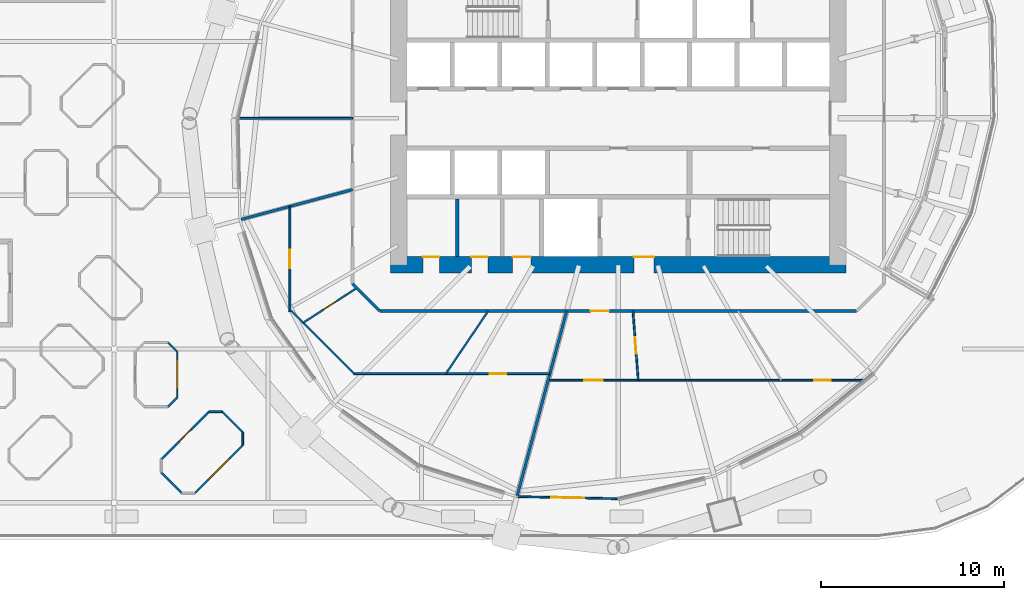
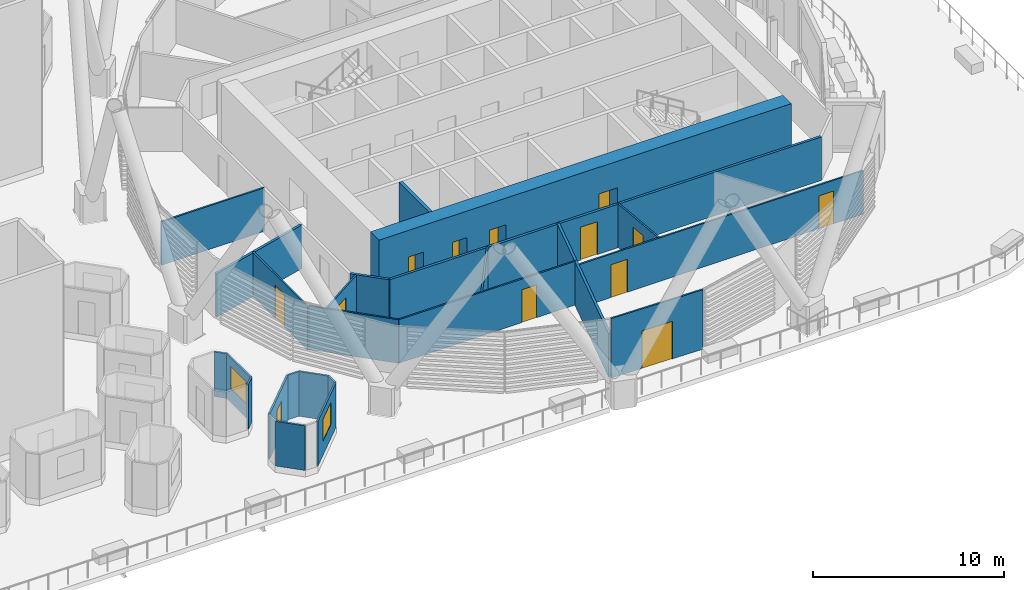
# One storey, part 30 of 47: 24 walls, 13 doors, 2 windows, 15 openings.
"""IFC4 building model written with IfcOpenShell, lengths in metres."""

import ifcopenshell
import ifcopenshell.guid

model = None  # the IFC model being written
_history = None  # IfcOwnerHistory: only IFC2X3 demands one
_inside = {}  # id of a spatial element -> (the spatial element, [elements in it])
_under = {}  # id of a project, library or spatial element -> (it, [spatial elements below it])
_declared = {}  # id of a project -> (the project, [libraries it declares])
_typed = {}  # id of a type object -> (the type object, [elements of that type])
_made_of = {}  # id of a material, layer set ... -> (it, [elements and type objects made of it])


def new_model(schema):
    """Start an empty IFC model of exactly this schema.

    Asked for "IFC4X3", IfcOpenShell would pick the latest addendum, in which some entities
    have other attributes; the version numbers below select the first issue.
    IFC2X3 requires an IfcOwnerHistory on every rooted entity: one is made here for all.
    """
    global model, _history
    if schema == "IFC4X3":
        model = ifcopenshell.file(schema_version=(4, 3, 0, 0))
    else:
        model = ifcopenshell.file(schema=schema)
    _inside.clear()
    _under.clear()
    _declared.clear()
    _typed.clear()
    _made_of.clear()
    _history = None
    if model.schema == "IFC2X3":
        org = make("IfcOrganization", Name="unknown")
        user = make(
            "IfcPersonAndOrganization",
            ThePerson=make("IfcPerson", FamilyName="unknown"),
            TheOrganization=org,
        )
        app = make(
            "IfcApplication",
            ApplicationDeveloper=org,
            Version="unknown",
            ApplicationFullName="unknown",
            ApplicationIdentifier="unknown",
        )
        _history = make(
            "IfcOwnerHistory",
            OwningUser=user,
            OwningApplication=app,
            ChangeAction="ADDED",
            CreationDate=0,
        )
    return model


def make(cls, **values):
    """One entity of the class cls with the attributes given. An attribute that is None is left unset."""
    return model.create_entity(
        cls, **{name: value for name, value in values.items() if value is not None}
    )


def rooted(cls, **values):
    """An entity with a GlobalId (a new one), such as an element, a storey or a relation."""
    return make(cls, GlobalId=ifcopenshell.guid.new(), OwnerHistory=_history, **values)


def si_unit(unit_type, name, prefix=None):
    """IfcSIUnit, for example si_unit("LENGTHUNIT", "METRE", prefix="MILLI")."""
    return make("IfcSIUnit", UnitType=unit_type, Prefix=prefix, Name=name)


def assignment(units):
    """IfcUnitAssignment: the units of a project."""
    return None if units is None else make("IfcUnitAssignment", Units=units)


def point(xyz):
    """IfcCartesianPoint."""
    return None if xyz is None else make("IfcCartesianPoint", Coordinates=xyz)


def direction(xyz):
    """IfcDirection."""
    return None if xyz is None else make("IfcDirection", DirectionRatios=xyz)


def frame(location, z_axis=None, x_axis=None):
    """IfcAxis2Placement3D, a coordinate frame: its origin and axes. An axis left out is left unset."""
    return make(
        "IfcAxis2Placement3D",
        Location=point(location),
        Axis=direction(z_axis),
        RefDirection=direction(x_axis),
    )


def frame_2d(location, x_axis=None):
    """IfcAxis2Placement2D, a coordinate frame in the plane: its origin and x axis."""
    return make(
        "IfcAxis2Placement2D", Location=point(location), RefDirection=direction(x_axis)
    )


def origin():
    """The frame at (0, 0, 0) with its axes left unset."""
    return frame((0.0, 0.0, 0.0))


def place(relative_to, where):
    """IfcLocalPlacement: puts the frame where relative to a parent placement (None: the world)."""
    return make(
        "IfcLocalPlacement", PlacementRelTo=relative_to, RelativePlacement=where
    )


def context(
    kind, dimensions, precision=None, world=None, true_north=None, identifier=None
):
    """IfcGeometricRepresentationContext, for example the 3D "Model" context."""
    return make(
        "IfcGeometricRepresentationContext",
        ContextIdentifier=identifier,
        ContextType=kind,
        CoordinateSpaceDimension=dimensions,
        Precision=precision,
        WorldCoordinateSystem=world,
        TrueNorth=true_north,
    )


def subcontext(parent, identifier, kind, view, scale=None):
    """IfcGeometricRepresentationSubContext, for example "Body" below "Model"."""
    return make(
        "IfcGeometricRepresentationSubContext",
        ContextIdentifier=identifier,
        ContextType=kind,
        ParentContext=parent,
        TargetScale=scale,
        TargetView=view,
    )


def project(units=None, contexts=None):
    """IfcProject with its units and contexts."""
    return rooted(
        "IfcProject",
        Name="project",
        RepresentationContexts=contexts,
        UnitsInContext=assignment(units),
    )


def spatial(cls, under=None, at=None, **own):
    """A site, building, storey or space (cls), placed at a placement, below another one or the project."""
    s = rooted(cls, ObjectPlacement=at, **own)
    if under is not None:
        _under.setdefault(under.id(), (under, []))[1].append(s)
    return s


def profile(cls, at=None, kind="AREA", **sizes):
    """A parametric profile (cls). Its sizes go by their IFC names, for example OverallWidth=200.0."""
    return make(cls, ProfileType=kind, Position=at, **sizes)


def rectangle(**sizes):
    """IfcRectangleProfileDef."""
    return profile("IfcRectangleProfileDef", **sizes)


def extrude(swept, where, along, depth):
    """IfcExtrudedAreaSolid: the profile swept, set in the frame where, extruded along a direction by depth."""
    return make(
        "IfcExtrudedAreaSolid",
        SweptArea=swept,
        Position=where,
        ExtrudedDirection=direction(along),
        Depth=depth,
    )


def shape(context_of_items, identifier, shape_type, items):
    """IfcShapeRepresentation: the items that make up one representation, for example the "Body"."""
    return make(
        "IfcShapeRepresentation",
        ContextOfItems=context_of_items,
        RepresentationIdentifier=identifier,
        RepresentationType=shape_type,
        Items=items,
    )


def material(Name=None, Category=None):
    """IfcMaterial."""
    return make("IfcMaterial", Name=Name, Category=Category)


def layer(
    of_material, thickness, ventilated=None, Name=None, Category=None, Priority=None
):
    """IfcMaterialLayer: one layer of a wall or slab, of a material (None: an air gap)."""
    return make(
        "IfcMaterialLayer",
        Material=of_material,
        LayerThickness=thickness,
        IsVentilated=ventilated,
        Name=Name,
        Category=Category,
        Priority=Priority,
    )


def layer_set(layers, Name=None):
    """IfcMaterialLayerSet."""
    return make("IfcMaterialLayerSet", MaterialLayers=layers, LayerSetName=Name)


def made_of(thing, what):
    """Note that an element or type object is made of a material, layer set ...; save() writes the relation."""
    if what is not None:
        _made_of.setdefault(what.id(), (what, []))[1].append(thing)
    return thing


def type_object(cls, material=None, **own):
    """A type object (cls), such as IfcWallType, which elements share."""
    return made_of(rooted(cls, **own), material)


def element(
    cls,
    number,
    at=None,
    inside=None,
    cuts=None,
    type_object=None,
    material=None,
    context=None,
    identifier="Body",
    shape_type=None,
    held_by="IfcProductDefinitionShape",
    body=None,
    shapes=None,
    **own,
):
    """One element of the class cls, such as IfcWall. Its Tag is "e" and its number.

    at: its placement. inside: the storey or other place that contains it. cuts: it is an
    opening in that element (IfcRelVoidsElement). A single representation is given by context,
    identifier, shape_type and body (its items); several are given by shapes. held_by: the class
    of the entity that holds the representations. save() writes the other relations.
    """
    e = rooted(cls, Tag="e%d" % number, ObjectPlacement=at, **own)
    if body is not None:
        shapes = [shape(context, identifier, shape_type, body)]
    if shapes is not None:
        e.Representation = make(held_by, Representations=shapes)
    if inside is not None:
        _inside.setdefault(inside.id(), (inside, []))[1].append(e)
    if cuts is not None:
        rooted(
            "IfcRelVoidsElement", RelatingBuildingElement=cuts, RelatedOpeningElement=e
        )
    if type_object is not None:
        _typed.setdefault(type_object.id(), (type_object, []))[1].append(e)
    return made_of(e, material)


def fill(opening, filler):
    """IfcRelFillsElement: the door or window that sits in an opening."""
    return rooted(
        "IfcRelFillsElement",
        RelatingOpeningElement=opening,
        RelatedBuildingElement=filler,
    )


def aggregate(whole, parts):
    """IfcRelAggregates: a whole, such as a stair, and the parts it consists of."""
    return rooted("IfcRelAggregates", RelatingObject=whole, RelatedObjects=parts)


def save(model, path):
    """Write the relations noted so far, then the file.

    IfcRelAggregates (storeys below a building ...), IfcRelContainedInSpatialStructure (elements
    in a storey), IfcRelDefinesByType, IfcRelAssociatesMaterial and IfcRelDeclares: one each for
    every whole, place, type object, material and project.
    """
    for whole, parts in _under.values():
        aggregate(whole, parts)
    for where, things in _inside.values():
        rooted(
            "IfcRelContainedInSpatialStructure",
            RelatedElements=things,
            RelatingStructure=where,
        )
    for kind, things in _typed.values():
        rooted("IfcRelDefinesByType", RelatedObjects=things, RelatingType=kind)
    for what, things in _made_of.values():
        rooted("IfcRelAssociatesMaterial", RelatedObjects=things, RelatingMaterial=what)
    for by, libraries in _declared.values():
        rooted("IfcRelDeclares", RelatingContext=by, RelatedDefinitions=libraries)
    model.write(path)


model = new_model("IFC4")

# Units and contexts
model_context = context("Model", 3, precision=1e-05, world=origin(), true_north=direction((0.0, 1.0)))
body_context = subcontext(model_context, "Body", "Model", "MODEL_VIEW")
ifc_project = project(units=[si_unit("LENGTHUNIT", "METRE"), si_unit("AREAUNIT", "SQUARE_METRE"), si_unit("VOLUMEUNIT", "CUBIC_METRE"), si_unit("PLANEANGLEUNIT", "RADIAN"), si_unit("MASSUNIT", "GRAM", prefix="KILO")], contexts=[model_context])

# Site, building, storey
site_placement = place(None, origin())
site = spatial("IfcSite", under=ifc_project, at=site_placement, CompositionType="ELEMENT")
building_placement = place(site_placement, origin())
building = spatial("IfcBuilding", under=site, at=building_placement, Name="Rimbun Link Towers", CompositionType="ELEMENT")
storey_placement = place(building_placement, frame((0.0, 0.0, 30.0)))
storey = spatial("IfcBuildingStorey", under=building, at=storey_placement, Name="L06", CompositionType="ELEMENT", Elevation=30.0)

# Wall, opening, door
ifc_material_1 = material(Name="Terracotta-faced insulated sandwich panel", Category="masonry")
ifc_layer_1 = layer(ifc_material_1, 0.10009765625)
ifc_layer_set_1 = layer_set([ifc_layer_1], Name="CAPSULE entrance panel 100")
wall_type_1 = type_object("IfcWallType", Name="CAPSULE entrance panel 100", PredefinedType="STANDARD", material=ifc_layer_set_1)
wall_1_placement = place(storey_placement, frame((9.388916015625, -16.022705078125, 0.409912109375), z_axis=(0.0, 0.0, 1.0), x_axis=(-0.707106781187, -0.707106781187, 0.0)))
wall_1 = element("IfcWall", 1, at=wall_1_placement, inside=storey, type_object=wall_type_1, Name="CAPSULE P12 shell panel 3", PredefinedType="STANDARD", context=body_context, shape_type="SweptSolid", body=[
    extrude(rectangle(XDim=3.699951171875, YDim=0.10009765625, at=frame_2d((1.85009765625, 0.0))), origin(), (0.0, 0.0, 1.0), 2.85009765625),
])
opening_1_placement = place(wall_1_placement, frame((1.39990234375, 0.0, 0.0)))
opening_1 = element("IfcOpeningElement", 2, at=opening_1_placement, cuts=wall_1, Name="Opening CD06.12", PredefinedType="OPENING", context=body_context, shape_type="SweptSolid", body=[
    extrude(rectangle(XDim=0.89990234375, YDim=2.10009765625, at=frame_2d((0.449951171875, 1.050048828125))), frame((0.0, 0.06005859375, 0.0), z_axis=(0.0, -1.0, 0.0), x_axis=(1.0, 0.0, 0.0)), (0.0, 0.0, 1.0), 0.1201171875),
])
ifc_material_2 = material(Name="Aluminium framed insulated door leaf", Category="aluminium")
door_type_1 = type_object("IfcDoorType", Name="CAPSULE door single leaf 900X2100", OperationType="SINGLE_SWING_LEFT", PredefinedType="DOOR", material=ifc_material_2)
door_1_placement = place(opening_1_placement, origin())
door_1 = element("IfcDoor", 3, at=door_1_placement, inside=storey, type_object=door_type_1, Name="CAPSULE P12 door", OperationType="SINGLE_SWING_RIGHT", OverallHeight=2.10009765625, OverallWidth=0.89990234375, PredefinedType="DOOR", context=body_context, shape_type="SweptSolid", body=[
    extrude(rectangle(XDim=0.89990234375, YDim=2.10009765625, at=frame_2d((0.449951171875, 1.050048828125))), frame((0.0, 0.02490234375, 0.0), z_axis=(0.0, -1.0, 0.0), x_axis=(1.0, 0.0, 0.0)), (0.0, 0.0, 1.0), 0.050048828125),
])
fill(opening_1, door_1)

# Wall
ifc_material_3 = material(Name="Terracotta-faced insulated sandwich panel", Category="masonry")
ifc_layer_2 = layer(ifc_material_3, 0.10009765625)
ifc_layer_set_2 = layer_set([ifc_layer_2], Name="CAPSULE shell panel 100")
wall_type_2 = type_object("IfcWallType", Name="CAPSULE shell panel 100", PredefinedType="STANDARD", material=ifc_layer_set_2)
wall_2_placement = place(storey_placement, frame((7.14990234375, -15.75, 0.409912109375), z_axis=(0.0, 0.0, 1.0), x_axis=(0.707106781187, 0.707106781187, 0.0)))
element("IfcWall", 4, at=wall_2_placement, inside=storey, type_object=wall_type_2, Name="CAPSULE P11 shell panel 6", PredefinedType="STANDARD", context=body_context, shape_type="SweptSolid", body=[
    extrude(rectangle(XDim=0.70703125, YDim=0.10009765625, at=frame_2d((0.353515625, 0.0))), origin(), (0.0, 0.0, 1.0), 2.85009765625),
])

# Wall, opening, window
wall_3_placement = place(storey_placement, frame((7.64990234375, -15.25, 0.409912109375), z_axis=(0.0, 0.0, 1.0), x_axis=(0.0, 1.0, 0.0)))
wall_3 = element("IfcWall", 5, at=wall_3_placement, inside=storey, type_object=wall_type_2, Name="CAPSULE P11 shell panel 7", PredefinedType="STANDARD", context=body_context, shape_type="SweptSolid", body=[
    extrude(rectangle(XDim=2.5, YDim=0.10009765625, at=frame_2d((1.25, 0.0))), origin(), (0.0, 0.0, 1.0), 2.85009765625),
])
opening_2_placement = place(wall_3_placement, frame((0.449951171875, 0.0, 0.89990234375)))
opening_2 = element("IfcOpeningElement", 6, at=opening_2_placement, cuts=wall_3, Name="Opening CN06.11", PredefinedType="OPENING", context=body_context, shape_type="SweptSolid", body=[
    extrude(rectangle(XDim=1.60009765625, YDim=1.39990234375, at=frame_2d((0.800048828125, 0.699951171875))), frame((0.0, 0.06005859375, 0.0), z_axis=(0.0, -1.0, 0.0), x_axis=(1.0, 0.0, 0.0)), (0.0, 0.0, 1.0), 0.1201171875),
])
ifc_material_4 = material(Name="Aluminium framed window, low-iron glass", Category="aluminium")
window_type = type_object("IfcWindowType", Name="CAPSULE window 1600X1400", PartitioningType="SINGLE_PANEL", PredefinedType="WINDOW", material=ifc_material_4)
window_1_placement = place(opening_2_placement, origin())
window_1 = element("IfcWindow", 7, at=window_1_placement, inside=storey, type_object=window_type, Name="CAPSULE P11 window", OverallHeight=1.39990234375, OverallWidth=1.60009765625, PartitioningType="SINGLE_PANEL", PredefinedType="WINDOW", context=body_context, shape_type="SweptSolid", body=[
    extrude(rectangle(XDim=1.60009765625, YDim=1.39990234375, at=frame_2d((0.800048828125, 0.699951171875))), frame((0.0, 0.030029296875, 0.0), z_axis=(0.0, -1.0, 0.0), x_axis=(1.0, 0.0, 0.0)), (0.0, 0.0, 1.0), 0.06005859375),
])
fill(opening_2, window_1)

# Walls
wall_4_placement = place(storey_placement, frame((7.64990234375, -12.75, 0.409912109375), z_axis=(0.0, 0.0, 1.0), x_axis=(-0.707106781187, 0.707106781187, 0.0)))
element("IfcWall", 8, at=wall_4_placement, inside=storey, type_object=wall_type_2, Name="CAPSULE P11 shell panel 8", PredefinedType="STANDARD", context=body_context, shape_type="SweptSolid", body=[
    extrude(rectangle(XDim=0.70703125, YDim=0.10009765625, at=frame_2d((0.353515625, 0.0))), origin(), (0.0, 0.0, 1.0), 2.85009765625),
])
wall_5_placement = place(storey_placement, frame((11.227294921875, -17.154052734375, 0.409912109375), z_axis=(0.0, 0.0, 1.0), x_axis=(-0.707106781187, 0.707106781187, 0.0)))
element("IfcWall", 9, at=wall_5_placement, inside=storey, type_object=wall_type_2, Name="CAPSULE P12 shell panel 1", PredefinedType="STANDARD", context=body_context, shape_type="SweptSolid", body=[
    extrude(rectangle(XDim=1.599853515625, YDim=0.10009765625, at=frame_2d((0.7998046875, 0.0))), origin(), (0.0, 0.0, 1.0), 2.85009765625),
])
wall_6_placement = place(storey_placement, frame((10.095947265625, -16.022705078125, 0.409912109375), z_axis=(0.0, 0.0, 1.0), x_axis=(-1.0, 0.0, 0.0)))
element("IfcWall", 10, at=wall_6_placement, inside=storey, type_object=wall_type_2, Name="CAPSULE P12 shell panel 2", PredefinedType="STANDARD", context=body_context, shape_type="SweptSolid", body=[
    extrude(rectangle(XDim=0.70703125, YDim=0.10009765625, at=frame_2d((0.353515625, 0.0))), origin(), (0.0, 0.0, 1.0), 2.85009765625),
])
wall_7_placement = place(storey_placement, frame((6.772705078125, -19.345947265625, 0.409912109375), z_axis=(0.0, 0.0, 1.0), x_axis=(0.707106781187, -0.707106781187, 0.0)))
element("IfcWall", 11, at=wall_7_placement, inside=storey, type_object=wall_type_2, Name="CAPSULE P12 shell panel 5", PredefinedType="STANDARD", context=body_context, shape_type="SweptSolid", body=[
    extrude(rectangle(XDim=1.599853515625, YDim=0.10009765625, at=frame_2d((0.7998046875, 0.0))), origin(), (0.0, 0.0, 1.0), 2.85009765625),
])

# Wall, opening, window
wall_8_placement = place(storey_placement, frame((8.611083984375, -20.477294921875, 0.409912109375), z_axis=(0.0, 0.0, 1.0), x_axis=(0.707106781187, 0.707106781187, 0.0)))
wall_8 = element("IfcWall", 12, at=wall_8_placement, inside=storey, type_object=wall_type_2, Name="CAPSULE P12 shell panel 7", PredefinedType="STANDARD", context=body_context, shape_type="SweptSolid", body=[
    extrude(rectangle(XDim=3.699951171875, YDim=0.10009765625, at=frame_2d((1.85009765625, 0.0))), origin(), (0.0, 0.0, 1.0), 2.85009765625),
])
opening_3_placement = place(wall_8_placement, frame((1.050048828125, 0.0, 0.89990234375)))
opening_3 = element("IfcOpeningElement", 13, at=opening_3_placement, cuts=wall_8, Name="Opening CN06.12", PredefinedType="OPENING", context=body_context, shape_type="SweptSolid", body=[
    extrude(rectangle(XDim=1.60009765625, YDim=1.39990234375, at=frame_2d((0.800048828125, 0.699951171875))), frame((0.0, 0.06005859375, 0.0), z_axis=(0.0, -1.0, 0.0), x_axis=(1.0, 0.0, 0.0)), (0.0, 0.0, 1.0), 0.1201171875),
])
window_2_placement = place(opening_3_placement, origin())
window_2 = element("IfcWindow", 14, at=window_2_placement, inside=storey, type_object=window_type, Name="CAPSULE P12 window", OverallHeight=1.39990234375, OverallWidth=1.60009765625, PartitioningType="SINGLE_PANEL", PredefinedType="WINDOW", context=body_context, shape_type="SweptSolid", body=[
    extrude(rectangle(XDim=1.60009765625, YDim=1.39990234375, at=frame_2d((0.800048828125, 0.699951171875))), frame((0.0, 0.030029296875, 0.0), z_axis=(0.0, -1.0, 0.0), x_axis=(1.0, 0.0, 0.0)), (0.0, 0.0, 1.0), 0.06005859375),
])
fill(opening_3, window_2)

# Walls
wall_9_placement = place(storey_placement, frame((11.227294921875, -17.861083984375, 0.409912109375), z_axis=(0.0, 0.0, 1.0), x_axis=(0.0, 1.0, 0.0)))
element("IfcWall", 15, at=wall_9_placement, inside=storey, type_object=wall_type_2, Name="CAPSULE P12 shell panel 8", PredefinedType="STANDARD", context=body_context, shape_type="SweptSolid", body=[
    extrude(rectangle(XDim=0.70703125, YDim=0.10009765625, at=frame_2d((0.353515625, 0.0))), origin(), (0.0, 0.0, 1.0), 2.85009765625),
])
ifc_material_5 = material(Name="Masonry blockwork", Category="masonry")
ifc_layer_3 = layer(ifc_material_5, 0.199951171875)
ifc_layer_set_3 = layer_set([ifc_layer_3], Name="Core partition 200")
wall_type_3 = type_object("IfcWallType", Name="Core partition 200", PredefinedType="PARTITIONING", material=ifc_layer_set_3)
wall_10_placement = place(storey_placement, frame((22.949951171875, -4.39990234375, 0.0), z_axis=(0.0, 0.0, 1.0), x_axis=(0.0, -1.0, 0.0)))
element("IfcWall", 16, at=wall_10_placement, inside=storey, type_object=wall_type_3, Name="L06 T2 core wall C1", PredefinedType="PARTITIONING", context=body_context, shape_type="SweptSolid", body=[
    extrude(rectangle(XDim=3.150146484375, YDim=0.199951171875, at=frame_2d((1.5751953125, 0.0))), origin(), (0.0, 0.0, 1.0), 3.800048828125),
])

# Wall, openings, doors
ifc_material_6 = material(Name="Concrete C60/75", Category="concrete")
ifc_layer_4 = layer(ifc_material_6, 0.89990234375)
ifc_layer_set_4 = layer_set([ifc_layer_4], Name="Core shear wall 900")
wall_type_4 = type_object("IfcWallType", Name="Core shear wall 900", PredefinedType="SHEAR", material=ifc_layer_set_4)
wall_11_placement = place(storey_placement, frame((19.300048828125, -8.0, 0.0), z_axis=(0.0, 0.0, 1.0), x_axis=(1.0, 0.0, 0.0)))
wall_11 = element("IfcWall", 17, at=wall_11_placement, inside=storey, type_object=wall_type_4, Name="L06 T2 core wall S", PredefinedType="SHEAR", context=body_context, shape_type="SweptSolid", body=[
    extrude(rectangle(XDim=24.89990234375, YDim=0.89990234375, at=frame_2d((12.449951171875, 0.0))), origin(), (0.0, 0.0, 1.0), 3.800048828125),
])
opening_4_placement = place(wall_11_placement, frame((13.300048828125, 0.0, 0.0)))
opening_4 = element("IfcOpeningElement", 18, at=opening_4_placement, cuts=wall_11, Name="Opening C2DCF01S", PredefinedType="OPENING", context=body_context, shape_type="SweptSolid", body=[
    extrude(rectangle(XDim=1.10009765625, YDim=2.10009765625, at=frame_2d((0.550048828125, 1.050048828125))), frame((0.0, 0.4599609375, 0.0), z_axis=(0.0, -1.0, 0.0), x_axis=(1.0, 0.0, 0.0)), (0.0, 0.0, 1.0), 0.919921875),
])
opening_5_placement = place(wall_11_placement, frame((1.77490234375, 0.0, 0.0)))
opening_5 = element("IfcOpeningElement", 19, at=opening_5_placement, cuts=wall_11, Name="Opening C2DWC02S", PredefinedType="OPENING", context=body_context, shape_type="SweptSolid", body=[
    extrude(rectangle(XDim=0.89990234375, YDim=2.10009765625, at=frame_2d((0.449951171875, 1.050048828125))), frame((0.0, 0.4599609375, 0.0), z_axis=(0.0, -1.0, 0.0), x_axis=(1.0, 0.0, 0.0)), (0.0, 0.0, 1.0), 0.919921875),
])
opening_6_placement = place(wall_11_placement, frame((4.425048828125, 0.0, 0.0)))
opening_6 = element("IfcOpeningElement", 20, at=opening_6_placement, cuts=wall_11, Name="Opening C2DWC03S", PredefinedType="OPENING", context=body_context, shape_type="SweptSolid", body=[
    extrude(rectangle(XDim=0.89990234375, YDim=2.10009765625, at=frame_2d((0.449951171875, 1.050048828125))), frame((0.0, 0.4599609375, 0.0), z_axis=(0.0, -1.0, 0.0), x_axis=(1.0, 0.0, 0.0)), (0.0, 0.0, 1.0), 0.919921875),
])
opening_7_placement = place(wall_11_placement, frame((6.675048828125, 0.0, 0.0)))
opening_7 = element("IfcOpeningElement", 21, at=opening_7_placement, cuts=wall_11, Name="Opening C2DAW04S", PredefinedType="OPENING", context=body_context, shape_type="SweptSolid", body=[
    extrude(rectangle(XDim=1.0, YDim=2.10009765625, at=frame_2d((0.5, 1.050048828125))), frame((0.0, 0.4599609375, 0.0), z_axis=(0.0, -1.0, 0.0), x_axis=(1.0, 0.0, 0.0)), (0.0, 0.0, 1.0), 0.919921875),
])
ifc_material_7 = material(Name="Timber", Category="wood")
door_type_2 = type_object("IfcDoorType", Name="Accessible WC door", OperationType="SINGLE_SWING_LEFT", PredefinedType="DOOR", material=ifc_material_7)
door_2_placement = place(opening_7_placement, origin())
door_2 = element("IfcDoor", 22, at=door_2_placement, inside=storey, type_object=door_type_2, Name="L06 T2 accessible wc door", OperationType="SINGLE_SWING_RIGHT", OverallHeight=2.10009765625, OverallWidth=1.0, PredefinedType="DOOR", context=body_context, shape_type="SweptSolid", body=[
    extrude(rectangle(XDim=1.0, YDim=2.10009765625, at=frame_2d((0.5, 1.050048828125))), frame((0.0, 0.4501953125, 0.0), z_axis=(0.0, -1.0, 0.0), x_axis=(1.0, 0.0, 0.0)), (0.0, 0.0, 1.0), 0.050048828125),
])
fill(opening_7, door_2)
ifc_material_8 = material(Name="Steel fire door set", Category="steel")
door_type_3 = type_object("IfcDoorType", Name="Core fire door single", OperationType="SINGLE_SWING_LEFT", PredefinedType="DOOR", material=ifc_material_8)
door_3_placement = place(opening_4_placement, origin())
door_3 = element("IfcDoor", 23, at=door_3_placement, inside=storey, type_object=door_type_3, Name="L06 T2 firefighting lobby s door", OperationType="SINGLE_SWING_RIGHT", OverallHeight=2.10009765625, OverallWidth=1.10009765625, PredefinedType="DOOR", context=body_context, shape_type="SweptSolid", body=[
    extrude(rectangle(XDim=1.10009765625, YDim=2.10009765625, at=frame_2d((0.550048828125, 1.050048828125))), frame((0.0, 0.4501953125, 0.0), z_axis=(0.0, -1.0, 0.0), x_axis=(1.0, 0.0, 0.0)), (0.0, 0.0, 1.0), 0.050048828125),
])
fill(opening_4, door_3)
ifc_material_9 = material(Name="Timber", Category="wood")
door_type_4 = type_object("IfcDoorType", Name="WC door", OperationType="SINGLE_SWING_LEFT", PredefinedType="DOOR", material=ifc_material_9)
door_4_placement = place(opening_5_placement, origin())
door_4 = element("IfcDoor", 24, at=door_4_placement, inside=storey, type_object=door_type_4, Name="L06 T2 male wc door", OperationType="SINGLE_SWING_RIGHT", OverallHeight=2.10009765625, OverallWidth=0.89990234375, PredefinedType="DOOR", context=body_context, shape_type="SweptSolid", body=[
    extrude(rectangle(XDim=0.89990234375, YDim=2.10009765625, at=frame_2d((0.449951171875, 1.050048828125))), frame((0.0, 0.4501953125, 0.0), z_axis=(0.0, -1.0, 0.0), x_axis=(1.0, 0.0, 0.0)), (0.0, 0.0, 1.0), 0.050048828125),
])
fill(opening_5, door_4)
door_5_placement = place(opening_6_placement, origin())
door_5 = element("IfcDoor", 25, at=door_5_placement, inside=storey, type_object=door_type_4, Name="L06 T2 female wc door", OperationType="SINGLE_SWING_LEFT", OverallHeight=2.10009765625, OverallWidth=0.89990234375, PredefinedType="DOOR", context=body_context, shape_type="SweptSolid", body=[
    extrude(rectangle(XDim=0.89990234375, YDim=2.10009765625, at=frame_2d((0.449951171875, 1.050048828125))), frame((0.0, 0.4501953125, 0.0), z_axis=(0.0, -1.0, 0.0), x_axis=(1.0, 0.0, 0.0)), (0.0, 0.0, 1.0), 0.050048828125),
])
fill(opening_6, door_5)

# Wall, opening, door
ifc_material_10 = material(Name="Plasterboard on steel stud, mineral wool", Category="steel")
ifc_layer_5 = layer(ifc_material_10, 0.14990234375)
ifc_layer_set_5 = layer_set([ifc_layer_5], Name="Corridor wall EI 30 150 mm")
wall_type_5 = type_object("IfcWallType", Name="Corridor wall EI 30 150 mm", PredefinedType="PARTITIONING", material=ifc_layer_set_5)
wall_12_placement = place(storey_placement, frame((44.776611328125, -10.52490234375, 0.0), z_axis=(0.0, 0.0, 1.0), x_axis=(-1.0, 0.0, 0.0)))
wall_12 = element("IfcWall", 26, at=wall_12_placement, inside=storey, type_object=wall_type_5, Name="Corridor wall EI 30 150 mm", PredefinedType="PARTITIONING", context=body_context, shape_type="SweptSolid", body=[
    extrude(rectangle(XDim=26.05322265625, YDim=0.14990234375, at=frame_2d((13.026611328125, 0.0))), origin(), (0.0, 0.0, 1.0), 2.779052734375),
])
opening_8_placement = place(wall_12_placement, frame((13.53662109375, 0.0, 0.0)))
opening_8 = element("IfcOpeningElement", 27, at=opening_8_placement, cuts=wall_12, Name="Opening D01", PredefinedType="OPENING", context=body_context, shape_type="SweptSolid", body=[
    extrude(rectangle(XDim=1.0, YDim=2.10009765625, at=frame_2d((0.5, 1.050048828125))), frame((0.0, 0.0849609375, 0.0), z_axis=(0.0, -1.0, 0.0), x_axis=(1.0, 0.0, 0.0)), (0.0, 0.0, 1.0), 0.169921875),
])
ifc_material_11 = material(Name="Fire-resisting timber door leaf", Category="wood")
door_type_5 = type_object("IfcDoorType", Name="Fire door FD30S 1000", OperationType="NOTDEFINED", PredefinedType="DOOR", material=ifc_material_11)
door_6_placement = place(opening_8_placement, origin())
door_6 = element("IfcDoor", 28, at=door_6_placement, inside=storey, type_object=door_type_5, Name="Fire door FD30S 1000 to Customer lobby", OperationType="SINGLE_SWING_LEFT", OverallHeight=2.10009765625, OverallWidth=1.0, PredefinedType="DOOR", context=body_context, shape_type="SweptSolid", body=[
    extrude(rectangle(XDim=1.0, YDim=2.10009765625, at=frame_2d((0.5, 1.050048828125))), frame((0.0, 0.02490234375, 0.0), z_axis=(0.0, -1.0, 0.0), x_axis=(1.0, 0.0, 0.0)), (0.0, 0.0, 1.0), 0.050048828125),
])
fill(opening_8, door_6)

# Wall
wall_13_placement = place(storey_placement, frame((17.22509765625, -9.026611328125, 0.0), z_axis=(0.0, 0.0, 1.0), x_axis=(0.707106781187, -0.707106781187, 0.0)))
element("IfcWall", 29, at=wall_13_placement, inside=storey, type_object=wall_type_5, Name="Corridor wall EI 30 150 mm", PredefinedType="PARTITIONING", context=body_context, shape_type="SweptSolid", body=[
    extrude(rectangle(XDim=2.118896484375, YDim=0.14990234375, at=frame_2d((1.0595703125, 0.0))), origin(), (0.0, 0.0, 1.0), 2.779052734375),
])

# Wall, opening, door
ifc_material_12 = material(Name="Aluminium framed insulated infill panel", Category="aluminium")
ifc_layer_6 = layer(ifc_material_12, 0.10009765625)
ifc_layer_set_6 = layer_set([ifc_layer_6], Name="ED framed infill wall 100")
wall_type_6 = type_object("IfcWallType", Name="ED framed infill wall 100", PredefinedType="STANDARD", material=ifc_layer_set_6)
wall_14_placement = place(storey_placement, frame((31.72900390625, -20.782958984375, 0.0), z_axis=(0.0, 0.0, 1.0), x_axis=(-0.999778397975, 0.021051245648, 0.0)))
wall_14 = element("IfcWall", 30, at=wall_14_placement, inside=storey, type_object=wall_type_6, Name="Framed door bay wall", PredefinedType="STANDARD", context=body_context, shape_type="SweptSolid", body=[
    extrude(rectangle(XDim=5.485595703125, YDim=0.10009765625, at=frame_2d((2.74267578125, 0.0))), origin(), (0.0, 0.0, 1.0), 3.800048828125),
])
opening_9_placement = place(wall_14_placement, frame((1.8427734375, 0.0, 0.0)))
opening_9 = element("IfcOpeningElement", 31, at=opening_9_placement, cuts=wall_14, Name="Opening ED50", PredefinedType="OPENING", context=body_context, shape_type="SweptSolid", body=[
    extrude(rectangle(XDim=1.800048828125, YDim=2.39990234375, at=frame_2d((0.89990234375, 1.199951171875))), frame((0.0, 0.06005859375, 0.0), z_axis=(0.0, -1.0, 0.0), x_axis=(1.0, 0.0, 0.0)), (0.0, 0.0, 1.0), 0.1201171875),
])
ifc_material_13 = material(Name="Aluminium framed glazed door, low-iron glass", Category="aluminium")
door_type_6 = type_object("IfcDoorType", Name="ED terrace door double leaf 1800X2400", OperationType="DOUBLE_DOOR_SINGLE_SWING", PredefinedType="DOOR", material=ifc_material_13)
door_7_placement = place(opening_9_placement, origin())
door_7 = element("IfcDoor", 32, at=door_7_placement, inside=storey, type_object=door_type_6, Name="Terrace door", OperationType="SINGLE_SWING_LEFT", OverallHeight=2.39990234375, OverallWidth=1.800048828125, PredefinedType="DOOR", context=body_context, shape_type="SweptSolid", body=[
    extrude(rectangle(XDim=1.800048828125, YDim=2.39990234375, at=frame_2d((0.89990234375, 1.199951171875))), frame((0.0, 0.02490234375, 0.0), z_axis=(0.0, -1.0, 0.0), x_axis=(1.0, 0.0, 0.0)), (0.0, 0.0, 1.0), 0.050048828125),
])
fill(opening_9, door_7)

# Wall
ifc_material_14 = material(Name="Plasterboard on steel stud", Category="steel")
ifc_layer_7 = layer(ifc_material_14, 0.10009765625)
ifc_layer_set_7 = layer_set([ifc_layer_7], Name="Plasterboard partition 100 mm")
wall_type_7 = type_object("IfcWallType", Name="Plasterboard partition 100 mm", PredefinedType="PARTITIONING", material=ifc_layer_set_7)
wall_15_placement = place(storey_placement, frame((11.0166015625, 0.0, 0.0), z_axis=(0.0, 0.0, 1.0), x_axis=(1.0, 0.0, 0.0)))
element("IfcWall", 33, at=wall_15_placement, inside=storey, type_object=wall_type_7, Name="Plasterboard partition 100 mm", PredefinedType="PARTITIONING", context=body_context, shape_type="SweptSolid", body=[
    extrude(rectangle(XDim=6.20849609375, YDim=0.10009765625, at=frame_2d((3.104248046875, 0.0))), origin(), (0.0, 0.0, 1.0), 2.779052734375),
])

# Wall, opening, door
wall_16_placement = place(storey_placement, frame((17.464111328125, -9.265869140625, 0.0), z_axis=(0.0, 0.0, 1.0), x_axis=(-0.83896645624, -0.544183135814, 0.0)))
wall_16 = element("IfcWall", 34, at=wall_16_placement, inside=storey, type_object=wall_type_7, Name="Plasterboard partition 100 mm", PredefinedType="PARTITIONING", context=body_context, shape_type="SweptSolid", body=[
    extrude(rectangle(XDim=3.49658203125, YDim=0.10009765625, at=frame_2d((1.748291015625, 0.0))), origin(), (0.0, 0.0, 1.0), 2.779052734375),
])
opening_10_placement = place(wall_16_placement, frame((1.29833984375, 0.0, 0.0)))
opening_10 = element("IfcOpeningElement", 35, at=opening_10_placement, cuts=wall_16, Name="Opening D04", PredefinedType="OPENING", context=body_context, shape_type="SweptSolid", body=[
    extrude(rectangle(XDim=0.89990234375, YDim=2.10009765625, at=frame_2d((0.449951171875, 1.050048828125))), frame((0.0, 0.06005859375, 0.0), z_axis=(0.0, -1.0, 0.0), x_axis=(1.0, 0.0, 0.0)), (0.0, 0.0, 1.0), 0.1201171875),
])
ifc_material_15 = material(Name="Timber door leaf", Category="wood")
door_type_7 = type_object("IfcDoorType", Name="Flush door 900", OperationType="NOTDEFINED", PredefinedType="DOOR", material=ifc_material_15)
door_8_placement = place(opening_10_placement, origin())
door_8 = element("IfcDoor", 36, at=door_8_placement, inside=storey, type_object=door_type_7, Name="Flush door 900 to Meeting room", OperationType="SINGLE_SWING_RIGHT", OverallHeight=2.10009765625, OverallWidth=0.89990234375, PredefinedType="DOOR", context=body_context, shape_type="SweptSolid", body=[
    extrude(rectangle(XDim=0.89990234375, YDim=2.10009765625, at=frame_2d((0.449951171875, 1.050048828125))), frame((0.0, 0.02490234375, 0.0), z_axis=(0.0, -1.0, 0.0), x_axis=(1.0, 0.0, 0.0)), (0.0, 0.0, 1.0), 0.050048828125),
])
fill(opening_10, door_8)

wall_17_placement = place(storey_placement, frame((13.804931640625, -10.5615234375, 0.0), z_axis=(0.0, 0.0, 1.0), x_axis=(0.0, 1.0, 0.0)))
wall_17 = element("IfcWall", 37, at=wall_17_placement, inside=storey, type_object=wall_type_7, Name="Plasterboard partition 100 mm", PredefinedType="PARTITIONING", context=body_context, shape_type="SweptSolid", body=[
    extrude(rectangle(XDim=5.753173828125, YDim=0.10009765625, at=frame_2d((2.87646484375, 0.0))), origin(), (0.0, 0.0, 1.0), 2.779052734375),
])
opening_11_placement = place(wall_17_placement, frame((2.376708984375, 0.0, 0.0)))
opening_11 = element("IfcOpeningElement", 38, at=opening_11_placement, cuts=wall_17, Name="Opening D03", PredefinedType="OPENING", context=body_context, shape_type="SweptSolid", body=[
    extrude(rectangle(XDim=1.0, YDim=2.10009765625, at=frame_2d((0.5, 1.050048828125))), frame((0.0, 0.06005859375, 0.0), z_axis=(0.0, -1.0, 0.0), x_axis=(1.0, 0.0, 0.0)), (0.0, 0.0, 1.0), 0.1201171875),
])
ifc_material_16 = material(Name="Timber door leaf", Category="wood")
door_type_8 = type_object("IfcDoorType", Name="Flush door 1000", OperationType="NOTDEFINED", PredefinedType="DOOR", material=ifc_material_16)
door_9_placement = place(opening_11_placement, origin())
door_9 = element("IfcDoor", 39, at=door_9_placement, inside=storey, type_object=door_type_8, Name="Flush door 1000 to Open office", OperationType="SINGLE_SWING_LEFT", OverallHeight=2.10009765625, OverallWidth=1.0, PredefinedType="DOOR", context=body_context, shape_type="SweptSolid", body=[
    extrude(rectangle(XDim=1.0, YDim=2.10009765625, at=frame_2d((0.5, 1.050048828125))), frame((0.0, 0.02490234375, 0.0), z_axis=(0.0, -1.0, 0.0), x_axis=(1.0, 0.0, 0.0)), (0.0, 0.0, 1.0), 0.050048828125),
])
fill(opening_11, door_9)

# Walls
wall_18_placement = place(storey_placement, frame((13.868896484375, -10.50732421875, 0.0), z_axis=(0.0, 0.0, 1.0), x_axis=(0.707182105477, -0.707031448872, 0.0)))
element("IfcWall", 40, at=wall_18_placement, inside=storey, type_object=wall_type_7, Name="Plasterboard partition 100 mm", PredefinedType="PARTITIONING", context=body_context, shape_type="SweptSolid", body=[
    extrude(rectangle(XDim=4.861572265625, YDim=0.10009765625, at=frame_2d((2.4306640625, 0.0))), origin(), (0.0, 0.0, 1.0), 2.779052734375),
])
wall_19_placement = place(storey_placement, frame((22.329345703125, -13.945068359375, 0.0), z_axis=(0.0, 0.0, 1.0), x_axis=(0.559794848407, 0.828631237461, 0.0)))
element("IfcWall", 41, at=wall_19_placement, inside=storey, type_object=wall_type_7, Name="Plasterboard partition 100 mm", PredefinedType="PARTITIONING", context=body_context, shape_type="SweptSolid", body=[
    extrude(rectangle(XDim=4.12744140625, YDim=0.10009765625, at=frame_2d((2.063720703125, 0.0))), origin(), (0.0, 0.0, 1.0), 2.779052734375),
])

# Wall, opening, door
wall_20_placement = place(storey_placement, frame((17.306640625, -13.945068359375, 0.0), z_axis=(0.0, 0.0, 1.0), x_axis=(1.0, 0.0, 0.0)))
wall_20 = element("IfcWall", 42, at=wall_20_placement, inside=storey, type_object=wall_type_7, Name="Plasterboard partition 100 mm", PredefinedType="PARTITIONING", context=body_context, shape_type="SweptSolid", body=[
    extrude(rectangle(XDim=10.706787109375, YDim=0.10009765625, at=frame_2d((5.353515625, 0.0))), origin(), (0.0, 0.0, 1.0), 2.779052734375),
])
opening_12_placement = place(wall_20_placement, frame((7.414794921875, 0.0, 0.0)))
opening_12 = element("IfcOpeningElement", 43, at=opening_12_placement, cuts=wall_20, Name="Opening D04", PredefinedType="OPENING", context=body_context, shape_type="SweptSolid", body=[
    extrude(rectangle(XDim=0.89990234375, YDim=2.10009765625, at=frame_2d((0.449951171875, 1.050048828125))), frame((0.0, 0.06005859375, 0.0), z_axis=(0.0, -1.0, 0.0), x_axis=(1.0, 0.0, 0.0)), (0.0, 0.0, 1.0), 0.1201171875),
])
door_10_placement = place(opening_12_placement, origin())
door_10 = element("IfcDoor", 44, at=door_10_placement, inside=storey, type_object=door_type_7, Name="Flush door 900 to Print room", OperationType="SINGLE_SWING_RIGHT", OverallHeight=2.10009765625, OverallWidth=0.89990234375, PredefinedType="DOOR", context=body_context, shape_type="SweptSolid", body=[
    extrude(rectangle(XDim=0.89990234375, YDim=2.10009765625, at=frame_2d((0.449951171875, 1.050048828125))), frame((0.0, 0.02490234375, 0.0), z_axis=(0.0, -1.0, 0.0), x_axis=(1.0, 0.0, 0.0)), (0.0, 0.0, 1.0), 0.050048828125),
])
fill(opening_12, door_10)

wall_21_placement = place(storey_placement, frame((32.55029296875, -10.52490234375, 0.0), z_axis=(0.0, 0.0, 1.0), x_axis=(0.075800155397, -0.997123029742, 0.0)))
wall_21 = element("IfcWall", 45, at=wall_21_placement, inside=storey, type_object=wall_type_7, Name="Plasterboard partition 100 mm", PredefinedType="PARTITIONING", context=body_context, shape_type="SweptSolid", body=[
    extrude(rectangle(XDim=3.791015625, YDim=0.10009765625, at=frame_2d((1.8955078125, 0.0))), origin(), (0.0, 0.0, 1.0), 2.779052734375),
])
opening_13_placement = place(wall_21_placement, frame((1.445556640625, 0.0, 0.0)))
opening_13 = element("IfcOpeningElement", 46, at=opening_13_placement, cuts=wall_21, Name="Opening D04", PredefinedType="OPENING", context=body_context, shape_type="SweptSolid", body=[
    extrude(rectangle(XDim=0.89990234375, YDim=2.10009765625, at=frame_2d((0.449951171875, 1.050048828125))), frame((0.0, 0.06005859375, 0.0), z_axis=(0.0, -1.0, 0.0), x_axis=(1.0, 0.0, 0.0)), (0.0, 0.0, 1.0), 0.1201171875),
])
door_11_placement = place(opening_13_placement, origin())
door_11 = element("IfcDoor", 47, at=door_11_placement, inside=storey, type_object=door_type_7, Name="Flush door 900 to Interview room", OperationType="SINGLE_SWING_RIGHT", OverallHeight=2.10009765625, OverallWidth=0.89990234375, PredefinedType="DOOR", context=body_context, shape_type="SweptSolid", body=[
    extrude(rectangle(XDim=0.89990234375, YDim=2.10009765625, at=frame_2d((0.449951171875, 1.050048828125))), frame((0.0, 0.02490234375, 0.0), z_axis=(0.0, -1.0, 0.0), x_axis=(1.0, 0.0, 0.0)), (0.0, 0.0, 1.0), 0.050048828125),
])
fill(opening_13, door_11)

# Wall, openings, doors
wall_22_placement = place(storey_placement, frame((45.144287109375, -14.304931640625, 0.0), z_axis=(0.0, 0.0, 1.0), x_axis=(-1.0, 0.0, 0.0)))
wall_22 = element("IfcWall", 48, at=wall_22_placement, inside=storey, type_object=wall_type_7, Name="Plasterboard partition 100 mm", PredefinedType="PARTITIONING", context=body_context, shape_type="SweptSolid", body=[
    extrude(rectangle(XDim=17.227294921875, YDim=0.10009765625, at=frame_2d((8.61376953125, 0.0))), origin(), (0.0, 0.0, 1.0), 2.779052734375),
])
opening_14_placement = place(wall_22_placement, frame((14.251953125, 0.0, 0.0)))
opening_14 = element("IfcOpeningElement", 49, at=opening_14_placement, cuts=wall_22, Name="Opening D03", PredefinedType="OPENING", context=body_context, shape_type="SweptSolid", body=[
    extrude(rectangle(XDim=1.0, YDim=2.10009765625, at=frame_2d((0.5, 1.050048828125))), frame((0.0, 0.06005859375, 0.0), z_axis=(0.0, -1.0, 0.0), x_axis=(1.0, 0.0, 0.0)), (0.0, 0.0, 1.0), 0.1201171875),
])
opening_15_placement = place(wall_22_placement, frame((1.796875, 0.0, 0.0)))
opening_15 = element("IfcOpeningElement", 50, at=opening_15_placement, cuts=wall_22, Name="Opening D04", PredefinedType="OPENING", context=body_context, shape_type="SweptSolid", body=[
    extrude(rectangle(XDim=0.89990234375, YDim=2.10009765625, at=frame_2d((0.449951171875, 1.050048828125))), frame((0.0, 0.06005859375, 0.0), z_axis=(0.0, -1.0, 0.0), x_axis=(1.0, 0.0, 0.0)), (0.0, 0.0, 1.0), 0.1201171875),
])
door_12_placement = place(opening_14_placement, origin())
door_12 = element("IfcDoor", 51, at=door_12_placement, inside=storey, type_object=door_type_8, Name="Flush door 1000 to Banking hall", OperationType="SINGLE_SWING_LEFT", OverallHeight=2.10009765625, OverallWidth=1.0, PredefinedType="DOOR", context=body_context, shape_type="SweptSolid", body=[
    extrude(rectangle(XDim=1.0, YDim=2.10009765625, at=frame_2d((0.5, 1.050048828125))), frame((0.0, 0.02490234375, 0.0), z_axis=(0.0, -1.0, 0.0), x_axis=(1.0, 0.0, 0.0)), (0.0, 0.0, 1.0), 0.050048828125),
])
fill(opening_14, door_12)
door_13_placement = place(opening_15_placement, origin())
door_13 = element("IfcDoor", 52, at=door_13_placement, inside=storey, type_object=door_type_7, Name="Flush door 900 to Strong room", OperationType="SINGLE_SWING_LEFT", OverallHeight=2.10009765625, OverallWidth=0.89990234375, PredefinedType="DOOR", context=body_context, shape_type="SweptSolid", body=[
    extrude(rectangle(XDim=0.89990234375, YDim=2.10009765625, at=frame_2d((0.449951171875, 1.050048828125))), frame((0.0, 0.02490234375, 0.0), z_axis=(0.0, -1.0, 0.0), x_axis=(1.0, 0.0, 0.0)), (0.0, 0.0, 1.0), 0.050048828125),
])
fill(opening_15, door_13)

# Walls
ifc_material_17 = material(Name="Plasterboard on steel stud, mineral wool", Category="steel")
ifc_layer_8 = layer(ifc_material_17, 0.14990234375)
ifc_layer_set_8 = layer_set([ifc_layer_8], Name="Tenancy separation wall EI 60 150 mm")
wall_type_8 = type_object("IfcWallType", Name="Tenancy separation wall EI 60 150 mm", PredefinedType="PARTITIONING", material=ifc_layer_set_8)
wall_23_placement = place(storey_placement, frame((17.22509765625, -3.891845703125, 0.0), z_axis=(0.0, 0.0, 1.0), x_axis=(-0.965920059985, -0.258840564283, 0.0)))
element("IfcWall", 53, at=wall_23_placement, inside=storey, type_object=wall_type_8, Name="Tenancy separation wall EI 60 150 mm", PredefinedType="PARTITIONING", context=body_context, shape_type="SweptSolid", body=[
    extrude(rectangle(XDim=6.30712890625, YDim=0.14990234375, at=frame_2d((3.153564453125, 0.0))), origin(), (0.0, 0.0, 1.0), 2.779052734375),
])
wall_24_placement = place(storey_placement, frame((28.929931640625, -10.52490234375, 0.0), z_axis=(0.0, 0.0, 1.0), x_axis=(-0.258830300683, -0.965922810295, 0.0)))
element("IfcWall", 54, at=wall_24_placement, inside=storey, type_object=wall_type_8, Name="Tenancy separation wall EI 60 150 mm", PredefinedType="PARTITIONING", context=body_context, shape_type="SweptSolid", body=[
    extrude(rectangle(XDim=10.4482421875, YDim=0.14990234375, at=frame_2d((5.22412109375, 0.0))), origin(), (0.0, 0.0, 1.0), 2.779052734375),
])

save(model, "model.ifc")
